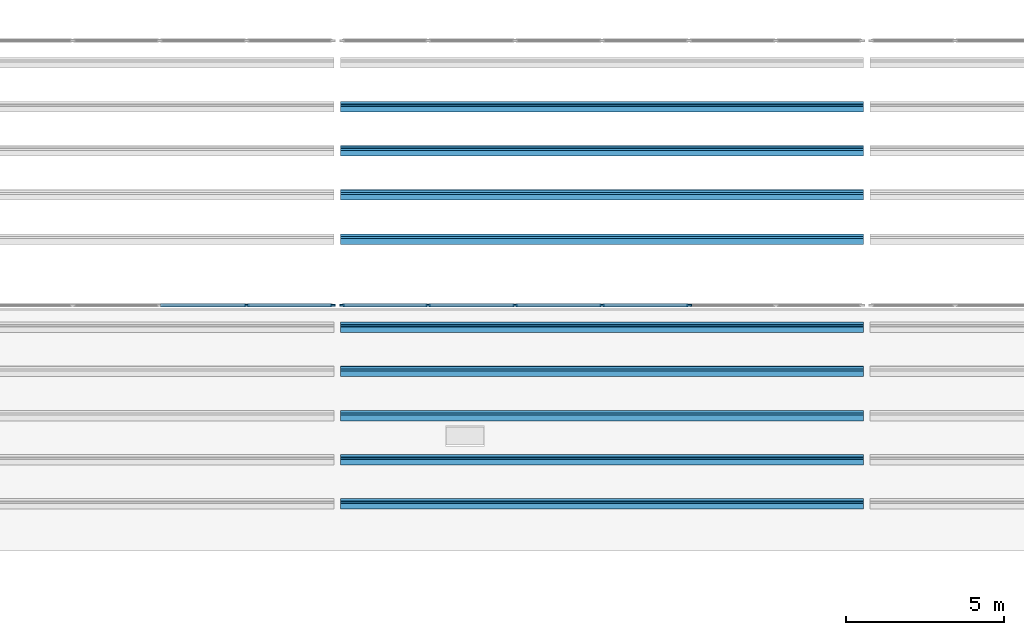
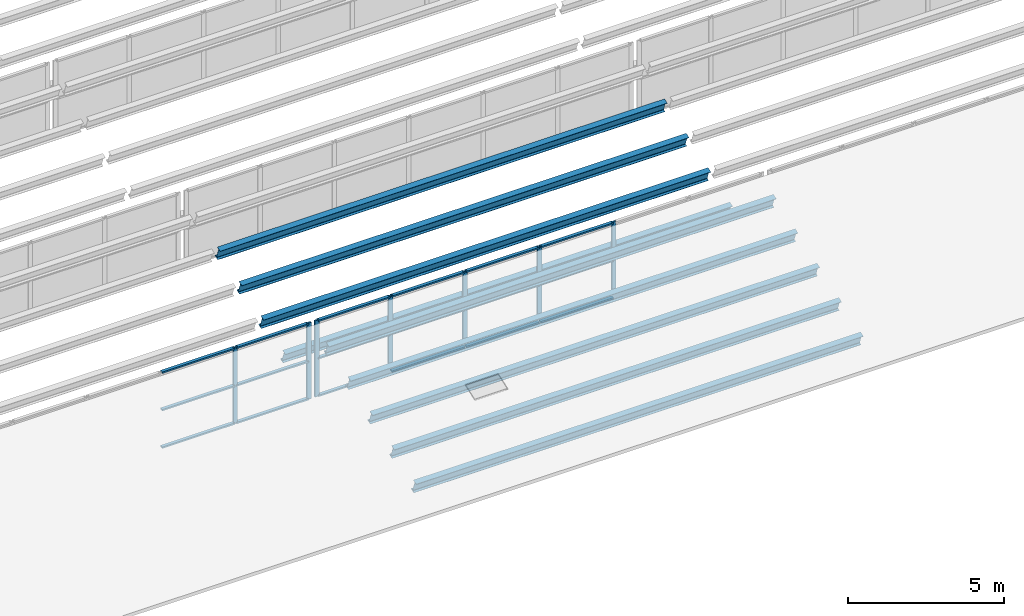
# One storey, part 19 of 116: 34 members, 2 elements without a shape of their own.
"""IFC4 building model written with IfcOpenShell, lengths in metres."""

from ifc_helpers import new_model, si_unit, direction, frame, origin, origin_2d, place, context, subcontext, project, spatial, rectangle, i_section, extrude, material, material_profile, profile_set, type_object, element, aggregate, save


model = new_model("IFC4")

# Units and contexts
model_context = context("Model", 3, precision=1e-05, world=origin(), true_north=direction((0.0, 1.0)))
body_context = subcontext(model_context, "Body", "Model", "MODEL_VIEW")
ifc_project = project(units=[si_unit("LENGTHUNIT", "METRE"), si_unit("AREAUNIT", "SQUARE_METRE"), si_unit("VOLUMEUNIT", "CUBIC_METRE"), si_unit("PLANEANGLEUNIT", "RADIAN"), si_unit("MASSUNIT", "GRAM", prefix="KILO")], contexts=[model_context])

# Site, building, storey
site_placement = place(None, origin())
site = spatial("IfcSite", under=ifc_project, at=site_placement, CompositionType="ELEMENT")
building_placement = place(site_placement, origin())
building = spatial("IfcBuilding", under=site, at=building_placement, Name="Fescue Hill Polytechnic", CompositionType="ELEMENT")
storey_placement = place(building_placement, frame((0.0, 0.0, 13.5)))
storey = spatial("IfcBuildingStorey", under=building, at=storey_placement, Name="L03", CompositionType="ELEMENT", Elevation=13.5)

# Curtain wall, members
ifc_material_1 = material(Name="Aluminium and glass", Category="aluminium")
curtain_wall_type = type_object("IfcCurtainWallType", Name="Sawtooth north glazing curtain wall", PredefinedType="NOTDEFINED", material=ifc_material_1)
curtain_wall_1_placement = place(storey_placement, origin())
curtain_wall_1 = element("IfcCurtainWall", 1, at=curtain_wall_1_placement, inside=storey, type_object=curtain_wall_type, Name="Sawtooth 1 north glazing bay 5", PredefinedType="NOTDEFINED")
ifc_material_2 = material(Name="Aluminium", Category="aluminium")
ifc_material_profile_1 = material_profile(ifc_material_2, rectangle(XDim=0.06005859375, YDim=0.159912109375, at=origin_2d()), Name="Curtain wall mullion 60x160")
ifc_profile_set_1 = profile_set([ifc_material_profile_1], Name="Aluminium")
member_type_1 = type_object("IfcMemberType", Name="Curtain wall mullion 60x160", PredefinedType="MULLION", material=ifc_profile_set_1)
member_1_placement = place(storey_placement, frame((81.1201171875, 25.199951171875, 0.0), z_axis=(0.0, 0.0, 1.0), x_axis=(0.0, 1.0, 0.0)))
member_1 = element("IfcMember", 2, at=member_1_placement, type_object=member_type_1, Name="CW5 mullion 6", PredefinedType="MULLION", context=body_context, shape_type="SweptSolid", body=[
    extrude(rectangle(XDim=0.06005859375, YDim=0.159912109375, at=origin_2d()), origin(), (0.0, 0.0, 1.0), 3.0),
])
member_2_placement = place(storey_placement, frame((83.85009765625, 25.199951171875, 0.0), z_axis=(0.0, 0.0, 1.0), x_axis=(0.0, 1.0, 0.0)))
member_2 = element("IfcMember", 3, at=member_2_placement, type_object=member_type_1, Name="CW5 mullion 7", PredefinedType="MULLION", context=body_context, shape_type="SweptSolid", body=[
    extrude(rectangle(XDim=0.06005859375, YDim=0.159912109375, at=origin_2d()), origin(), (0.0, 0.0, 1.0), 3.0),
])

curtain_wall_2_placement = place(storey_placement, origin())
curtain_wall_2 = element("IfcCurtainWall", 4, at=curtain_wall_2_placement, inside=storey, type_object=curtain_wall_type, Name="Sawtooth 1 north glazing bay 6", PredefinedType="NOTDEFINED")
member_3_placement = place(storey_placement, frame((84.14990234375, 25.199951171875, 0.0), z_axis=(0.0, 0.0, 1.0), x_axis=(0.0, 1.0, 0.0)))
member_3 = element("IfcMember", 5, at=member_3_placement, type_object=member_type_1, Name="CW6 mullion 1", PredefinedType="MULLION", context=body_context, shape_type="SweptSolid", body=[
    extrude(rectangle(XDim=0.06005859375, YDim=0.159912109375, at=origin_2d()), origin(), (0.0, 0.0, 1.0), 3.0),
])
member_4_placement = place(storey_placement, frame((86.8798828125, 25.199951171875, 0.0), z_axis=(0.0, 0.0, 1.0), x_axis=(0.0, 1.0, 0.0)))
member_4 = element("IfcMember", 6, at=member_4_placement, type_object=member_type_1, Name="CW6 mullion 2", PredefinedType="MULLION", context=body_context, shape_type="SweptSolid", body=[
    extrude(rectangle(XDim=0.06005859375, YDim=0.159912109375, at=origin_2d()), origin(), (0.0, 0.0, 1.0), 3.0),
])
member_5_placement = place(storey_placement, frame((89.639892578125, 25.199951171875, 0.0), z_axis=(0.0, 0.0, 1.0), x_axis=(0.0, 1.0, 0.0)))
member_5 = element("IfcMember", 7, at=member_5_placement, type_object=member_type_1, Name="CW6 mullion 3", PredefinedType="MULLION", context=body_context, shape_type="SweptSolid", body=[
    extrude(rectangle(XDim=0.06005859375, YDim=0.159912109375, at=origin_2d()), origin(), (0.0, 0.0, 1.0), 3.0),
])
member_6_placement = place(storey_placement, frame((92.39990234375, 25.199951171875, 0.0), z_axis=(0.0, 0.0, 1.0), x_axis=(0.0, 1.0, 0.0)))
member_6 = element("IfcMember", 8, at=member_6_placement, type_object=member_type_1, Name="CW6 mullion 4", PredefinedType="MULLION", context=body_context, shape_type="SweptSolid", body=[
    extrude(rectangle(XDim=0.06005859375, YDim=0.159912109375, at=origin_2d()), origin(), (0.0, 0.0, 1.0), 3.0),
])
member_7_placement = place(storey_placement, frame((95.159912109375, 25.199951171875, 0.0), z_axis=(0.0, 0.0, 1.0), x_axis=(0.0, 1.0, 0.0)))
member_7 = element("IfcMember", 9, at=member_7_placement, type_object=member_type_1, Name="CW6 mullion 5", PredefinedType="MULLION", context=body_context, shape_type="SweptSolid", body=[
    extrude(rectangle(XDim=0.06005859375, YDim=0.159912109375, at=origin_2d()), origin(), (0.0, 0.0, 1.0), 3.0),
])

# Member
ifc_material_profile_2 = material_profile(ifc_material_2, rectangle(XDim=0.1201171875, YDim=0.06005859375, at=origin_2d()), Name="Curtain wall transom 60x120")
ifc_profile_set_2 = profile_set([ifc_material_profile_2], Name="Aluminium")
member_type_2 = type_object("IfcMemberType", Name="Curtain wall transom 60x120", PredefinedType="USERDEFINED", material=ifc_profile_set_2)
member_8_placement = place(storey_placement, frame((78.389892578125, 25.199951171875, 0.030029296875), z_axis=(1.0, 0.0, 0.0), x_axis=(0.0, 1.0, 0.0)))
member_8 = element("IfcMember", 10, at=member_8_placement, type_object=member_type_2, Name="CW5 transom 5.1", ObjectType="TRANSOM", PredefinedType="USERDEFINED", context=body_context, shape_type="SweptSolid", body=[
    extrude(rectangle(XDim=0.1201171875, YDim=0.06005859375, at=origin_2d()), origin(), (0.0, 0.0, 1.0), 2.7001953125),
])

member_9_placement = place(storey_placement, frame((78.389892578125, 25.199951171875, 1.5), z_axis=(1.0, 0.0, 0.0), x_axis=(0.0, 1.0, 0.0)))
member_9 = element("IfcMember", 11, at=member_9_placement, type_object=member_type_2, Name="CW5 transom 5.2", ObjectType="TRANSOM", PredefinedType="USERDEFINED", context=body_context, shape_type="SweptSolid", body=[
    extrude(rectangle(XDim=0.1201171875, YDim=0.06005859375, at=origin_2d()), origin(), (0.0, 0.0, 1.0), 2.7001953125),
])

member_10_placement = place(storey_placement, frame((78.389892578125, 25.199951171875, 2.969970703125), z_axis=(1.0, 0.0, 0.0), x_axis=(0.0, 1.0, 0.0)))
member_10 = element("IfcMember", 12, at=member_10_placement, type_object=member_type_2, Name="CW5 transom 5.3", ObjectType="TRANSOM", PredefinedType="USERDEFINED", context=body_context, shape_type="SweptSolid", body=[
    extrude(rectangle(XDim=0.1201171875, YDim=0.06005859375, at=origin_2d()), origin(), (0.0, 0.0, 1.0), 2.7001953125),
])

member_11_placement = place(storey_placement, frame((81.14990234375, 25.199951171875, 0.030029296875), z_axis=(1.0, 0.0, 0.0), x_axis=(0.0, 1.0, 0.0)))
member_11 = element("IfcMember", 13, at=member_11_placement, type_object=member_type_2, Name="CW5 transom 6.1", ObjectType="TRANSOM", PredefinedType="USERDEFINED", context=body_context, shape_type="SweptSolid", body=[
    extrude(rectangle(XDim=0.1201171875, YDim=0.06005859375, at=origin_2d()), origin(), (0.0, 0.0, 1.0), 2.670166015625),
])

member_12_placement = place(storey_placement, frame((81.14990234375, 25.199951171875, 1.5), z_axis=(1.0, 0.0, 0.0), x_axis=(0.0, 1.0, 0.0)))
member_12 = element("IfcMember", 14, at=member_12_placement, type_object=member_type_2, Name="CW5 transom 6.2", ObjectType="TRANSOM", PredefinedType="USERDEFINED", context=body_context, shape_type="SweptSolid", body=[
    extrude(rectangle(XDim=0.1201171875, YDim=0.06005859375, at=origin_2d()), origin(), (0.0, 0.0, 1.0), 2.670166015625),
])

member_13_placement = place(storey_placement, frame((81.14990234375, 25.199951171875, 2.969970703125), z_axis=(1.0, 0.0, 0.0), x_axis=(0.0, 1.0, 0.0)))
member_13 = element("IfcMember", 15, at=member_13_placement, type_object=member_type_2, Name="CW5 transom 6.3", ObjectType="TRANSOM", PredefinedType="USERDEFINED", context=body_context, shape_type="SweptSolid", body=[
    extrude(rectangle(XDim=0.1201171875, YDim=0.06005859375, at=origin_2d()), origin(), (0.0, 0.0, 1.0), 2.670166015625),
])

aggregate(curtain_wall_1, [member_1, member_2, member_8, member_9, member_10, member_11, member_12, member_13])

member_14_placement = place(storey_placement, frame((84.179931640625, 25.199951171875, 0.030029296875), z_axis=(1.0, 0.0, 0.0), x_axis=(0.0, 1.0, 0.0)))
member_14 = element("IfcMember", 16, at=member_14_placement, type_object=member_type_2, Name="CW6 transom 1.1", ObjectType="TRANSOM", PredefinedType="USERDEFINED", context=body_context, shape_type="SweptSolid", body=[
    extrude(rectangle(XDim=0.1201171875, YDim=0.06005859375, at=origin_2d()), origin(), (0.0, 0.0, 1.0), 2.670166015625),
])

member_15_placement = place(storey_placement, frame((84.179931640625, 25.199951171875, 1.5), z_axis=(1.0, 0.0, 0.0), x_axis=(0.0, 1.0, 0.0)))
member_15 = element("IfcMember", 17, at=member_15_placement, type_object=member_type_2, Name="CW6 transom 1.2", ObjectType="TRANSOM", PredefinedType="USERDEFINED", context=body_context, shape_type="SweptSolid", body=[
    extrude(rectangle(XDim=0.1201171875, YDim=0.06005859375, at=origin_2d()), origin(), (0.0, 0.0, 1.0), 2.670166015625),
])

member_16_placement = place(storey_placement, frame((84.179931640625, 25.199951171875, 2.969970703125), z_axis=(1.0, 0.0, 0.0), x_axis=(0.0, 1.0, 0.0)))
member_16 = element("IfcMember", 18, at=member_16_placement, type_object=member_type_2, Name="CW6 transom 1.3", ObjectType="TRANSOM", PredefinedType="USERDEFINED", context=body_context, shape_type="SweptSolid", body=[
    extrude(rectangle(XDim=0.1201171875, YDim=0.06005859375, at=origin_2d()), origin(), (0.0, 0.0, 1.0), 2.670166015625),
])

member_17_placement = place(storey_placement, frame((86.909912109375, 25.199951171875, 0.030029296875), z_axis=(1.0, 0.0, 0.0), x_axis=(0.0, 1.0, 0.0)))
member_17 = element("IfcMember", 19, at=member_17_placement, type_object=member_type_2, Name="CW6 transom 2.1", ObjectType="TRANSOM", PredefinedType="USERDEFINED", context=body_context, shape_type="SweptSolid", body=[
    extrude(rectangle(XDim=0.1201171875, YDim=0.06005859375, at=origin_2d()), origin(), (0.0, 0.0, 1.0), 2.7001953125),
])

member_18_placement = place(storey_placement, frame((86.909912109375, 25.199951171875, 1.5), z_axis=(1.0, 0.0, 0.0), x_axis=(0.0, 1.0, 0.0)))
member_18 = element("IfcMember", 20, at=member_18_placement, type_object=member_type_2, Name="CW6 transom 2.2", ObjectType="TRANSOM", PredefinedType="USERDEFINED", context=body_context, shape_type="SweptSolid", body=[
    extrude(rectangle(XDim=0.1201171875, YDim=0.06005859375, at=origin_2d()), origin(), (0.0, 0.0, 1.0), 2.7001953125),
])

member_19_placement = place(storey_placement, frame((86.909912109375, 25.199951171875, 2.969970703125), z_axis=(1.0, 0.0, 0.0), x_axis=(0.0, 1.0, 0.0)))
member_19 = element("IfcMember", 21, at=member_19_placement, type_object=member_type_2, Name="CW6 transom 2.3", ObjectType="TRANSOM", PredefinedType="USERDEFINED", context=body_context, shape_type="SweptSolid", body=[
    extrude(rectangle(XDim=0.1201171875, YDim=0.06005859375, at=origin_2d()), origin(), (0.0, 0.0, 1.0), 2.7001953125),
])

member_20_placement = place(storey_placement, frame((89.669921875, 25.199951171875, 0.030029296875), z_axis=(1.0, 0.0, 0.0), x_axis=(0.0, 1.0, 0.0)))
member_20 = element("IfcMember", 22, at=member_20_placement, type_object=member_type_2, Name="CW6 transom 3.1", ObjectType="TRANSOM", PredefinedType="USERDEFINED", context=body_context, shape_type="SweptSolid", body=[
    extrude(rectangle(XDim=0.1201171875, YDim=0.06005859375, at=origin_2d()), origin(), (0.0, 0.0, 1.0), 2.7001953125),
])

member_21_placement = place(storey_placement, frame((89.669921875, 25.199951171875, 1.5), z_axis=(1.0, 0.0, 0.0), x_axis=(0.0, 1.0, 0.0)))
member_21 = element("IfcMember", 23, at=member_21_placement, type_object=member_type_2, Name="CW6 transom 3.2", ObjectType="TRANSOM", PredefinedType="USERDEFINED", context=body_context, shape_type="SweptSolid", body=[
    extrude(rectangle(XDim=0.1201171875, YDim=0.06005859375, at=origin_2d()), origin(), (0.0, 0.0, 1.0), 2.7001953125),
])

member_22_placement = place(storey_placement, frame((89.669921875, 25.199951171875, 2.969970703125), z_axis=(1.0, 0.0, 0.0), x_axis=(0.0, 1.0, 0.0)))
member_22 = element("IfcMember", 24, at=member_22_placement, type_object=member_type_2, Name="CW6 transom 3.3", ObjectType="TRANSOM", PredefinedType="USERDEFINED", context=body_context, shape_type="SweptSolid", body=[
    extrude(rectangle(XDim=0.1201171875, YDim=0.06005859375, at=origin_2d()), origin(), (0.0, 0.0, 1.0), 2.7001953125),
])

member_23_placement = place(storey_placement, frame((92.429931640625, 25.199951171875, 0.030029296875), z_axis=(1.0, 0.0, 0.0), x_axis=(0.0, 1.0, 0.0)))
member_23 = element("IfcMember", 25, at=member_23_placement, type_object=member_type_2, Name="CW6 transom 4.1", ObjectType="TRANSOM", PredefinedType="USERDEFINED", context=body_context, shape_type="SweptSolid", body=[
    extrude(rectangle(XDim=0.1201171875, YDim=0.06005859375, at=origin_2d()), origin(), (0.0, 0.0, 1.0), 2.699951171875),
])

member_24_placement = place(storey_placement, frame((92.429931640625, 25.199951171875, 1.5), z_axis=(1.0, 0.0, 0.0), x_axis=(0.0, 1.0, 0.0)))
member_24 = element("IfcMember", 26, at=member_24_placement, type_object=member_type_2, Name="CW6 transom 4.2", ObjectType="TRANSOM", PredefinedType="USERDEFINED", context=body_context, shape_type="SweptSolid", body=[
    extrude(rectangle(XDim=0.1201171875, YDim=0.06005859375, at=origin_2d()), origin(), (0.0, 0.0, 1.0), 2.699951171875),
])

member_25_placement = place(storey_placement, frame((92.429931640625, 25.199951171875, 2.969970703125), z_axis=(1.0, 0.0, 0.0), x_axis=(0.0, 1.0, 0.0)))
member_25 = element("IfcMember", 27, at=member_25_placement, type_object=member_type_2, Name="CW6 transom 4.3", ObjectType="TRANSOM", PredefinedType="USERDEFINED", context=body_context, shape_type="SweptSolid", body=[
    extrude(rectangle(XDim=0.1201171875, YDim=0.06005859375, at=origin_2d()), origin(), (0.0, 0.0, 1.0), 2.699951171875),
])

aggregate(curtain_wall_2, [member_3, member_4, member_5, member_6, member_7, member_14, member_15, member_16, member_17, member_18, member_19, member_20, member_21, member_22, member_23, member_24, member_25])

# Members
ifc_material_3 = material(Name="Steel 350W (350 MPa)", Category="steel")
ifc_material_profile_3 = material_profile(ifc_material_3, i_section(OverallWidth=0.18994140625, OverallDepth=0.45703125, WebThickness=0.009033203125, FlangeThickness=0.014404296875, FilletRadius=0.0166015625, at=origin_2d()), Name="W460x74")
ifc_profile_set_3 = profile_set([ifc_material_profile_3], Name="Steel 350W (350 MPa)")
member_type_3 = type_object("IfcMemberType", Name="Tooth purlin W460x74", PredefinedType="PURLIN", material=ifc_profile_set_3)
for number, where, z_axis, x_axis, name in (
    (28, (84.1044921875, 18.89990234375, 0.294921875), (1.0, 0.0, 0.0), (0.0, 0.941741911595, 0.336336396997), "Tooth 1 purlin 2 bay 6"),
    (29, (84.1044921875, 20.300048828125, 0.794921875), (1.0, 0.0, 0.0), (0.0, 0.941741911595, 0.336336396997), "Tooth 1 purlin 3 bay 6"),
    (30, (84.1044921875, 21.699951171875, 1.294921875), (1.0, 0.0, 0.0), (0.0, 0.941741911595, 0.336336396997), "Tooth 1 purlin 4 bay 6"),
    (31, (84.1044921875, 23.10009765625, 1.794921875), (1.0, 0.0, 0.0), (0.0, 0.941741911595, 0.336336396997), "Tooth 1 purlin 5 bay 6"),
    (32, (84.1044921875, 27.300048828125, 0.294921875), (1.0, 0.0, 0.0), (0.0, 0.941741911595, 0.336336396997), "Tooth 2 purlin 2 bay 6"),
    (33, (84.1044921875, 28.699951171875, 0.794921875), (1.0, 0.0, 0.0), (0.0, 0.941741911595, 0.336336396997), "Tooth 2 purlin 3 bay 6"),
    (34, (84.1044921875, 30.10009765625, 1.294921875), (1.0, 0.0, 0.0), (0.0, 0.941741911595, 0.336336396997), "Tooth 2 purlin 4 bay 6"),
    (35, (84.1044921875, 31.5, 1.794921875), (1.0, 0.0, 0.0), (0.0, 0.941741911595, 0.336336396997), "Tooth 2 purlin 5 bay 6"),
):
    element("IfcMember", number, at=place(storey_placement, frame(where, z_axis=z_axis, x_axis=x_axis)), inside=storey, type_object=member_type_3, Name=name, PredefinedType="PURLIN", context=body_context, shape_type="SweptSolid", body=[
        extrude(i_section(OverallWidth=0.18994140625, OverallDepth=0.45703125, WebThickness=0.009033203125, FlangeThickness=0.014404296875, FilletRadius=0.0166015625, at=origin_2d()), origin(), (0.0, 0.0, 1.0), 16.591064453125),
    ])
ifc_material_profile_4 = material_profile(ifc_material_3, i_section(OverallWidth=0.193115234375, OverallDepth=0.466064453125, WebThickness=0.011474609375, FlangeThickness=0.01904296875, FilletRadius=0.01708984375, at=origin_2d()), Name="W460x97")
ifc_profile_set_4 = profile_set([ifc_material_profile_4], Name="Steel 350W (350 MPa)")
member_type_4 = type_object("IfcMemberType", Name="Tooth ridge purlin W460x97", PredefinedType="PURLIN", material=ifc_profile_set_4)
member_26_placement = place(storey_placement, frame((84.1044921875, 24.5, 2.290283203125), z_axis=(1.0, 0.0, 0.0), x_axis=(0.0, 0.941741911595, 0.336336396997)))
element("IfcMember", 36, at=member_26_placement, inside=storey, type_object=member_type_4, Name="Tooth 1 ridge purlin bay 6", PredefinedType="PURLIN", context=body_context, shape_type="SweptSolid", body=[
    extrude(i_section(OverallWidth=0.193115234375, OverallDepth=0.466064453125, WebThickness=0.011474609375, FlangeThickness=0.01904296875, FilletRadius=0.01708984375, at=origin_2d()), origin(), (0.0, 0.0, 1.0), 16.591064453125),
])

save(model, "model.ifc")
